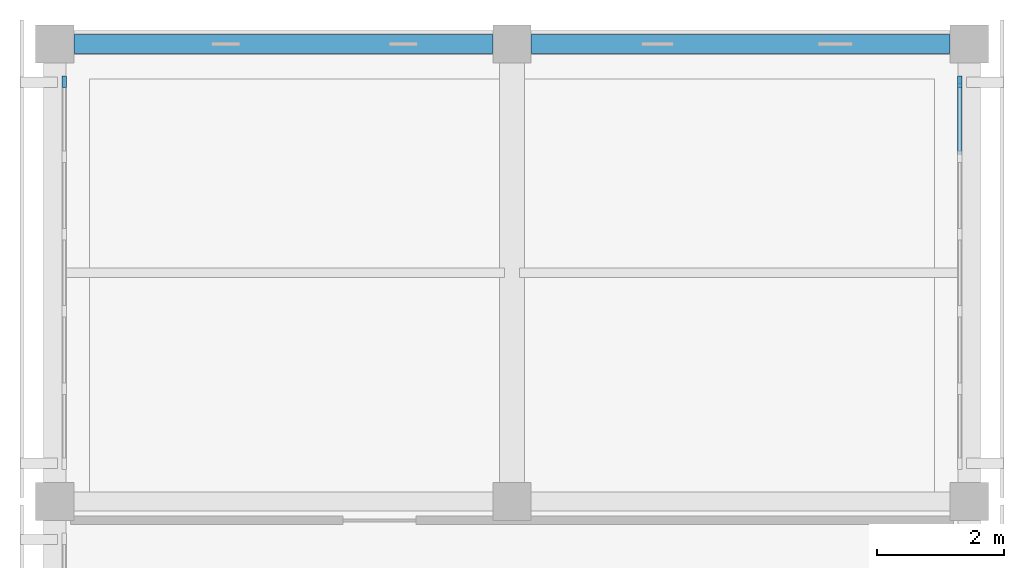
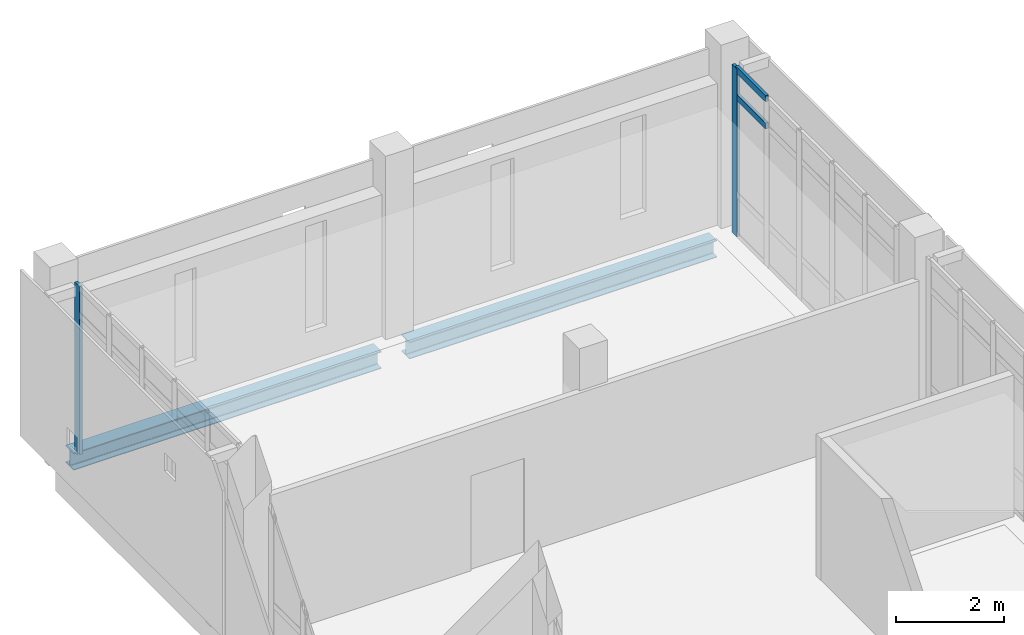
# One storey, part 10 of 21: 4 members, 2 beams, 2 elements without a shape of their own.
"""IFC4 building model written with IfcOpenShell, lengths in metres."""

from ifc_helpers import new_model, si_unit, direction, frame, origin, origin_2d, place, context, subcontext, project, spatial, rectangle, i_section, extrude, material, layer, layer_set, material_profile, profile_set, type_object, element, aggregate, save


model = new_model("IFC4")

# Units and contexts
model_context = context("Model", 3, precision=1e-05, world=origin(), true_north=direction((0.0, 1.0)))
body_context = subcontext(model_context, "Body", "Model", "MODEL_VIEW")
ifc_project = project(units=[si_unit("LENGTHUNIT", "METRE"), si_unit("AREAUNIT", "SQUARE_METRE"), si_unit("VOLUMEUNIT", "CUBIC_METRE"), si_unit("PLANEANGLEUNIT", "RADIAN"), si_unit("MASSUNIT", "GRAM", prefix="KILO")], contexts=[model_context])

# Site, building, storey
site_placement = place(None, origin())
site = spatial("IfcSite", under=ifc_project, at=site_placement, CompositionType="ELEMENT")
building_placement = place(site_placement, origin())
building = spatial("IfcBuilding", under=site, at=building_placement, Name="Valkovuoma Quantum and Materials Research Institute", CompositionType="ELEMENT")
storey_placement = place(building_placement, frame((0.0, 0.0, 33.919921875)))
storey = spatial("IfcBuildingStorey", under=building, at=storey_placement, Name="L08", CompositionType="ELEMENT", Elevation=33.919921875)

# Beams
ifc_material_1 = material(Name="Steel S355J2", Category="steel")
ifc_material_profile_1 = material_profile(ifc_material_1, i_section(OverallWidth=0.300048828125, OverallDepth=0.389892578125, WebThickness=0.010986328125, FlangeThickness=0.01904296875, FilletRadius=0.027099609375, at=origin_2d()), Name="Steel S355J2")
ifc_profile_set_1 = profile_set([ifc_material_profile_1], Name="Steel S355J2")
beam_type = type_object("IfcBeamType", Name="Beam-B-HEA400", PredefinedType="SPANDREL", material=ifc_profile_set_1)
beam_1_placement = place(storey_placement, frame((0.300048828125, 93.60009765625, -0.544921875), z_axis=(1.0, 0.0, 0.0), x_axis=(0.0, 1.0, 0.0)))
element("IfcBeam", 1, at=beam_1_placement, inside=storey, type_object=beam_type, Name="L08 beam X-2546", PredefinedType="SPANDREL", context=body_context, shape_type="SweptSolid", body=[
    extrude(i_section(OverallWidth=0.300048828125, OverallDepth=0.389892578125, WebThickness=0.010986328125, FlangeThickness=0.01904296875, FilletRadius=0.027099609375, at=origin_2d()), origin(), (0.0, 0.0, 1.0), 6.599853515625),
])
beam_2_placement = place(storey_placement, frame((7.5, 93.60009765625, -0.544921875), z_axis=(1.0, 0.0, 0.0), x_axis=(0.0, 1.0, 0.0)))
element("IfcBeam", 2, at=beam_2_placement, inside=storey, type_object=beam_type, Name="L08 beam X-2547", PredefinedType="SPANDREL", context=body_context, shape_type="SweptSolid", body=[
    extrude(i_section(OverallWidth=0.300048828125, OverallDepth=0.389892578125, WebThickness=0.010986328125, FlangeThickness=0.01904296875, FilletRadius=0.027099609375, at=origin_2d()), origin(), (0.0, 0.0, 1.0), 6.60009765625),
])

# Curtain wall, member
ifc_material_2 = material(Name="Thermally broken aluminium and triple low-E glazing", Category="aluminium")
ifc_layer = layer(ifc_material_2, 0.219970703125)
ifc_layer_set = layer_set([ifc_layer], Name="Thermally broken aluminium and triple low-E glazing")
curtain_wall_type = type_object("IfcCurtainWallType", Name="CW-CW-01", PredefinedType="NOTDEFINED", material=ifc_layer_set)
curtain_wall_1_placement = place(storey_placement, origin())
curtain_wall_1 = element("IfcCurtainWall", 3, at=curtain_wall_1_placement, inside=storey, type_object=curtain_wall_type, Name="L08 curtain wall 125", PredefinedType="NOTDEFINED")
ifc_material_3 = material(Name="Anodised aluminium 6060-T66", Category="aluminium")
ifc_material_profile_2 = material_profile(ifc_material_3, rectangle(XDim=0.06494140625, YDim=0.179931640625, at=origin_2d()), Name="Anodised aluminium 6060-T66")
ifc_profile_set_2 = profile_set([ifc_material_profile_2], Name="Anodised aluminium 6060-T66")
member_type_1 = type_object("IfcMemberType", Name="CWMull-CWM-01", PredefinedType="MULLION", material=ifc_profile_set_2)
member_1_placement = place(storey_placement, frame((0.14990234375, 93.010498046875, 0.0), z_axis=(0.0, 0.0, 1.0), x_axis=(-1.0, 0.0, 0.0)))
member_1 = element("IfcMember", 4, at=member_1_placement, type_object=member_type_1, Name="CW-01 mullion 6", PredefinedType="MULLION", context=body_context, shape_type="SweptSolid", body=[
    extrude(rectangle(XDim=0.06494140625, YDim=0.179931640625, at=origin_2d()), origin(), (0.0, 0.0, 1.0), 3.81005859375),
])
aggregate(curtain_wall_1, [member_1])

# Curtain wall, members
curtain_wall_2_placement = place(storey_placement, origin())
curtain_wall_2 = element("IfcCurtainWall", 5, at=curtain_wall_2_placement, inside=storey, type_object=curtain_wall_type, Name="L08 curtain wall 126", PredefinedType="NOTDEFINED")
member_2_placement = place(storey_placement, frame((14.25, 93.010498046875, 0.0), z_axis=(0.0, 0.0, 1.0), x_axis=(-1.0, 0.0, 0.0)))
member_2 = element("IfcMember", 6, at=member_2_placement, type_object=member_type_1, Name="CW-01 mullion 6", PredefinedType="MULLION", context=body_context, shape_type="SweptSolid", body=[
    extrude(rectangle(XDim=0.06494140625, YDim=0.179931640625, at=origin_2d()), origin(), (0.0, 0.0, 1.0), 3.81005859375),
])
ifc_material_4 = material(Name="Anodised aluminium 6060-T66", Category="aluminium")
ifc_material_profile_3 = material_profile(ifc_material_4, rectangle(XDim=0.06494140625, YDim=0.139892578125, at=origin_2d()), Name="Anodised aluminium 6060-T66")
ifc_profile_set_3 = profile_set([ifc_material_profile_3], Name="Anodised aluminium 6060-T66")
member_type_2 = type_object("IfcMemberType", Name="CWTran-CWT-01", PredefinedType="USERDEFINED", material=ifc_profile_set_3)
member_3_placement = place(storey_placement, frame((14.25, 91.858154296875, 3.16015625), z_axis=(0.0, 1.0, 0.0), x_axis=(-1.0, 0.0, 0.0)))
member_3 = element("IfcMember", 7, at=member_3_placement, type_object=member_type_2, Name="CW-01 transom 5.3", ObjectType="TRANSOM", PredefinedType="USERDEFINED", context=body_context, shape_type="SweptSolid", body=[
    extrude(rectangle(XDim=0.06494140625, YDim=0.139892578125, at=origin_2d()), origin(), (0.0, 0.0, 1.0), 1.11962890625),
])
member_4_placement = place(storey_placement, frame((14.25, 91.858154296875, 3.777587890625), z_axis=(0.0, 1.0, 0.0), x_axis=(-1.0, 0.0, 0.0)))
member_4 = element("IfcMember", 8, at=member_4_placement, type_object=member_type_2, Name="CW-01 transom 5.4", ObjectType="TRANSOM", PredefinedType="USERDEFINED", context=body_context, shape_type="SweptSolid", body=[
    extrude(rectangle(XDim=0.06494140625, YDim=0.139892578125, at=origin_2d()), origin(), (0.0, 0.0, 1.0), 1.11962890625),
])
aggregate(curtain_wall_2, [member_2, member_3, member_4])

save(model, "model.ifc")
